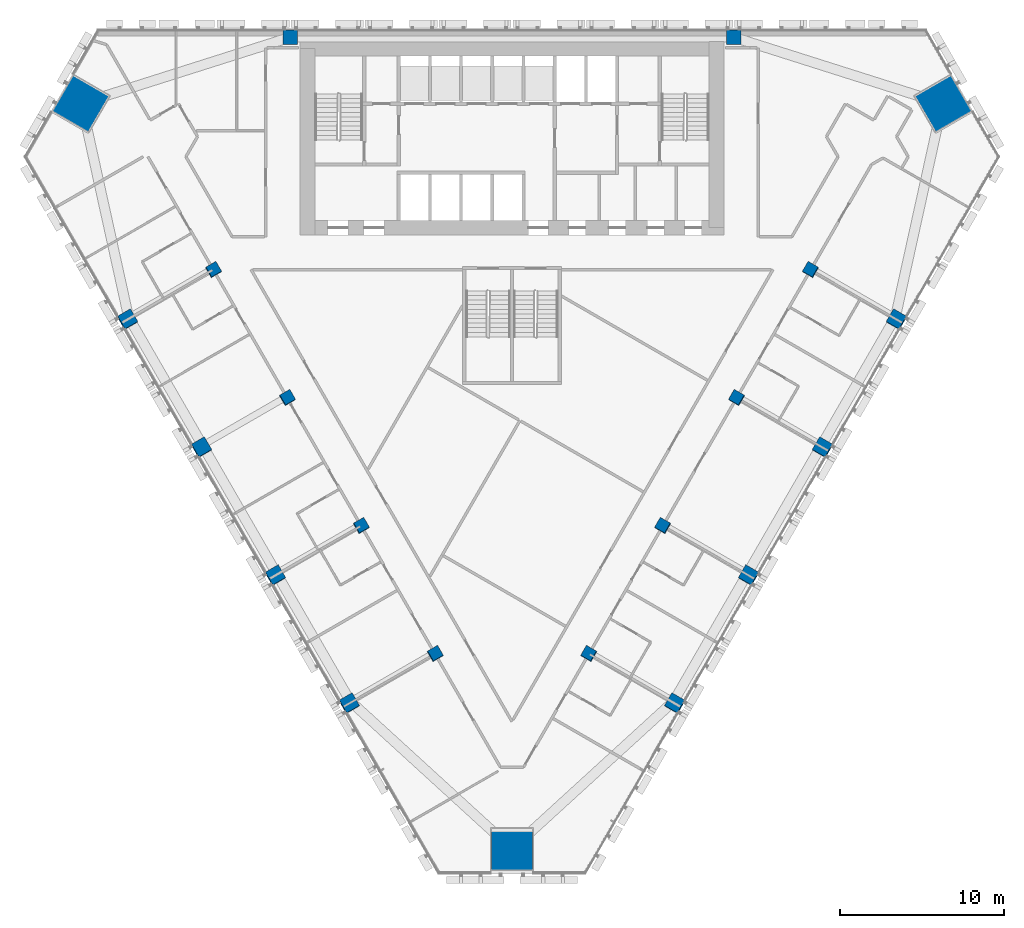
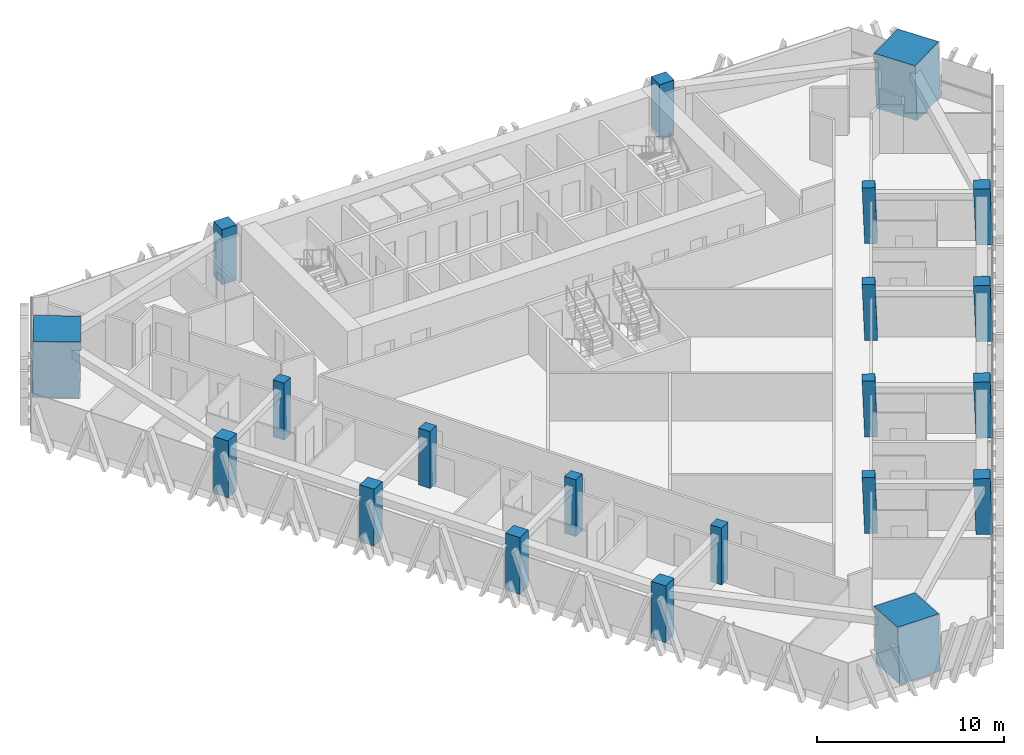
# One storey, part 1 of 16: 21 columns.
"""IFC4 building model written with IfcOpenShell, lengths in metres."""

from ifc_helpers import new_model, si_unit, direction, frame, origin, origin_2d, place, context, subcontext, project, spatial, rectangle, extrude, material, material_profile, profile_set, type_object, element, save


model = new_model("IFC4")

# Units and contexts
model_context = context("Model", 3, precision=1e-05, world=origin(), true_north=direction((0.0, 1.0)))
body_context = subcontext(model_context, "Body", "Model", "MODEL_VIEW")
ifc_project = project(units=[si_unit("LENGTHUNIT", "METRE"), si_unit("AREAUNIT", "SQUARE_METRE"), si_unit("VOLUMEUNIT", "CUBIC_METRE"), si_unit("PLANEANGLEUNIT", "RADIAN"), si_unit("MASSUNIT", "GRAM", prefix="KILO")], contexts=[model_context])

# Site, building, storey
site_placement = place(None, origin())
site = spatial("IfcSite", under=ifc_project, at=site_placement, CompositionType="ELEMENT")
building_placement = place(site_placement, origin())
building = spatial("IfcBuilding", under=site, at=building_placement, Name="Altiplano Prism Tower", CompositionType="ELEMENT")
storey_placement = place(building_placement, frame((0.0, 0.0, 77.39990234375)))
storey = spatial("IfcBuildingStorey", under=building, at=storey_placement, Name="L19", CompositionType="ELEMENT", Elevation=77.39990234375)

# Columns
ifc_material_1 = material(Name="Concrete C60/75", Category="concrete")
ifc_material_profile_1 = material_profile(ifc_material_1, rectangle(XDim=0.699951171875, YDim=0.699951171875, at=origin_2d()), Name="Inner column 700")
ifc_profile_set_1 = profile_set([ifc_material_profile_1], Name="Concrete C60/75")
column_type_1 = type_object("IfcColumnType", Name="Inner column 700", PredefinedType="COLUMN", material=ifc_profile_set_1)
for number, where, z_axis, x_axis, name in (
    (1, (66.81201171875, 90.380126953125, -0.021240234375), (0.02222134892, 0.038480872521, 0.999012229206), (-0.865636738748, -0.499191445273, 0.038482950714), "Inner column I11 L19"),
    (2, (71.31201171875, 82.5859375, -0.021240234375), (0.02222134892, 0.038480872521, 0.999012229206), (-0.865639401317, -0.499186837261, 0.038482832442), "Inner column I12 L19"),
    (3, (75.81201171875, 74.791748046875, -0.021240234375), (0.022221406801, 0.038413224561, 0.999014831351), (-0.86601867758, -0.49853245819, 0.038432254851), "Inner column I13 L19"),
    (4, (80.31201171875, 66.99755859375, -0.021240234375), (0.022221406801, 0.038413224561, 0.999014831351), (-0.86601867758, -0.49853245819, 0.038432254851), "Inner column I14 L19"),
    (5, (89.68798828125, 66.99755859375, -0.021240234375), (-0.022221406801, 0.038413224561, 0.999014831351), (-0.499517626478, -0.866019521899, 0.022188477379), "Inner column I21 L19"),
    (6, (94.18798828125, 74.791748046875, -0.021240234375), (-0.022221406801, 0.038413224561, 0.999014831351), (-0.499517626478, -0.866019521899, 0.022188477379), "Inner column I22 L19"),
    (7, (98.68798828125, 82.5859375, -0.021240234375), (-0.02222134892, 0.038480872521, 0.999012229206), (-0.500174608052, -0.865639488445, 0.022217954564), "Inner column I23 L19"),
    (8, (103.18798828125, 90.380126953125, -0.021240234375), (-0.02222134892, 0.038480872521, 0.999012229206), (-0.500174608052, -0.865639488445, 0.022217954564), "Inner column I24 L19"),
):
    element("IfcColumn", number, at=place(storey_placement, frame(where, z_axis=z_axis, x_axis=x_axis)), inside=storey, type_object=column_type_1, Name=name, PredefinedType="COLUMN", context=body_context, shape_type="SweptSolid", body=[
        extrude(rectangle(XDim=0.699951171875, YDim=0.699951171875, at=origin_2d()), origin(), (0.0, 0.0, 1.0), 3.603759765625),
    ])
ifc_material_2 = material(Name="Concrete C70/85", Category="concrete")
ifc_material_profile_2 = material_profile(ifc_material_2, rectangle(XDim=2.52001953125, YDim=2.52001953125, at=origin_2d()), Name="Mega column infill 2600")
ifc_profile_set_2 = profile_set([ifc_material_profile_2], Name="Concrete C70/85")
column_type_2 = type_object("IfcColumnType", Name="Mega column infill 2600", PredefinedType="COLUMN", material=ifc_profile_set_2)
column_1_placement = place(storey_placement, frame((58.684326171875, 100.486572265625, 0.0), z_axis=(0.028401814599, 0.009218727412, 0.999554076572), x_axis=(-0.865122989998, 0.501162463917, 0.019959883203)))
element("IfcColumn", 9, at=column_1_placement, inside=storey, type_object=column_type_2, Name="Mega column M0 L19", PredefinedType="COLUMN", context=body_context, shape_type="SweptSolid", body=[
    extrude(rectangle(XDim=2.52001953125, YDim=2.52001953125, at=origin_2d()), origin(), (0.0, 0.0, 1.0), 3.601806640625),
])
column_2_placement = place(storey_placement, frame((85.0, 54.90625, 0.0), z_axis=(0.0, 0.058356907999, 0.998295783467), x_axis=(-1.0, 0.0, 0.0)))
element("IfcColumn", 10, at=column_2_placement, inside=storey, type_object=column_type_2, Name="Mega column M1 L19", PredefinedType="COLUMN", context=body_context, shape_type="SweptSolid", body=[
    extrude(rectangle(XDim=2.52001953125, YDim=2.52001953125, at=origin_2d()), origin(), (0.0, 0.0, 1.0), 3.606201171875),
])
column_3_placement = place(storey_placement, frame((111.315673828125, 100.486572265625, 0.0), z_axis=(-0.028401814599, 0.009218727412, 0.999554076572), x_axis=(0.500757470484, -0.865302665043, 0.022209313887)))
element("IfcColumn", 11, at=column_3_placement, inside=storey, type_object=column_type_2, Name="Mega column M2 L19", PredefinedType="COLUMN", context=body_context, shape_type="SweptSolid", body=[
    extrude(rectangle(XDim=2.52001953125, YDim=2.52001953125, at=origin_2d()), origin(), (0.0, 0.0, 1.0), 3.601806640625),
])
ifc_material_profile_3 = material_profile(ifc_material_1, rectangle(XDim=0.89990234375, YDim=0.89990234375, at=origin_2d()), Name="Perimeter column 900")
ifc_profile_set_3 = profile_set([ifc_material_profile_3], Name="Concrete C60/75")
column_type_3 = type_object("IfcColumnType", Name="Perimeter column 900", PredefinedType="COLUMN", material=ifc_profile_set_3)
for number, where, z_axis, x_axis, name in (
    (12, (98.5, 104.550048828125, 0.0), (0.0, 0.0, 1.0), (1.0, 0.0, 0.0), "Perimeter column P01 L19"),
    (13, (71.5, 104.550048828125, 0.0), (0.0, 0.0, 1.0), (1.0, 0.0, 0.0), "Perimeter column P04 L19"),
):
    element("IfcColumn", number, at=place(storey_placement, frame(where, z_axis=z_axis, x_axis=x_axis)), inside=storey, type_object=column_type_3, Name=name, PredefinedType="COLUMN", context=body_context, shape_type="SweptSolid", body=[
        extrude(rectangle(XDim=0.89990234375, YDim=0.89990234375, at=origin_2d()), origin(), (0.0, 0.0, 1.0), 3.60009765625),
    ])
for number, where, z_axis, x_axis, name in (
    (14, (61.572509765625, 87.35498046875, -0.027099609375), (0.02215519141, 0.038415882353, 0.999016199807), (-0.865361939077, -0.499673629592, 0.038405446053), "Perimeter column P11 L19"),
    (15, (66.072509765625, 79.560791015625, -0.027099609375), (0.02215519141, 0.038415882353, 0.999016199807), (-0.865361921601, -0.499673659799, 0.038405446827), "Perimeter column P12 L19"),
    (16, (70.572509765625, 71.7666015625, -0.027099609375), (0.02215519141, 0.038415882353, 0.999016199807), (-0.865359230247, -0.499678311641, 0.038405566022), "Perimeter column P13 L19"),
    (17, (75.072509765625, 63.97216796875, -0.027099609375), (0.022155133694, 0.038483534979, 0.999013597298), (-0.864976967443, -0.500335845547, 0.038456305773), "Perimeter column P14 L19"),
    (18, (94.927490234375, 63.97216796875, -0.027099609375), (-0.022155133694, 0.038483534979, 0.999013597298), (-0.501322247506, -0.864975756421, 0.022202363833), "Perimeter column P21 L19"),
    (19, (99.427490234375, 71.7666015625, -0.027099609375), (-0.02215519141, 0.038415882353, 0.999016199807), (-0.500662111727, -0.865358772336, 0.022173069744), "Perimeter column P22 L19"),
    (20, (103.927490234375, 79.560791015625, -0.027099609375), (-0.02215519141, 0.038415882353, 0.999016199807), (-0.500657459883, -0.865361458401, 0.022173276197), "Perimeter column P23 L19"),
    (21, (108.427490234375, 87.35498046875, -0.027099609375), (-0.02215519141, 0.038415882353, 0.999016199807), (-0.500657459883, -0.865361458401, 0.022173276197), "Perimeter column P24 L19"),
):
    element("IfcColumn", number, at=place(storey_placement, frame(where, z_axis=z_axis, x_axis=x_axis)), inside=storey, type_object=column_type_3, Name=name, PredefinedType="COLUMN", context=body_context, shape_type="SweptSolid", body=[
        extrude(rectangle(XDim=0.89990234375, YDim=0.89990234375, at=origin_2d()), origin(), (0.0, 0.0, 1.0), 3.603515625),
    ])

save(model, "model.ifc")
